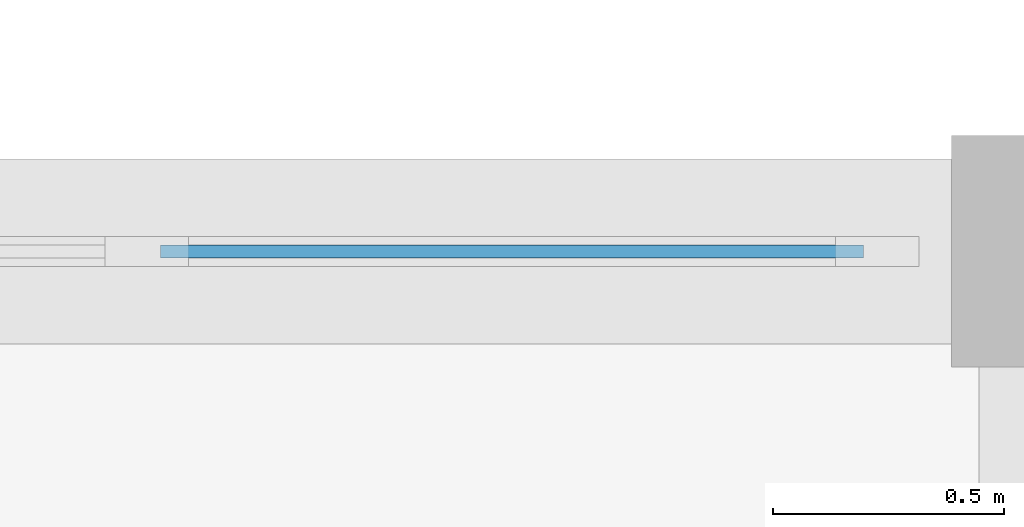
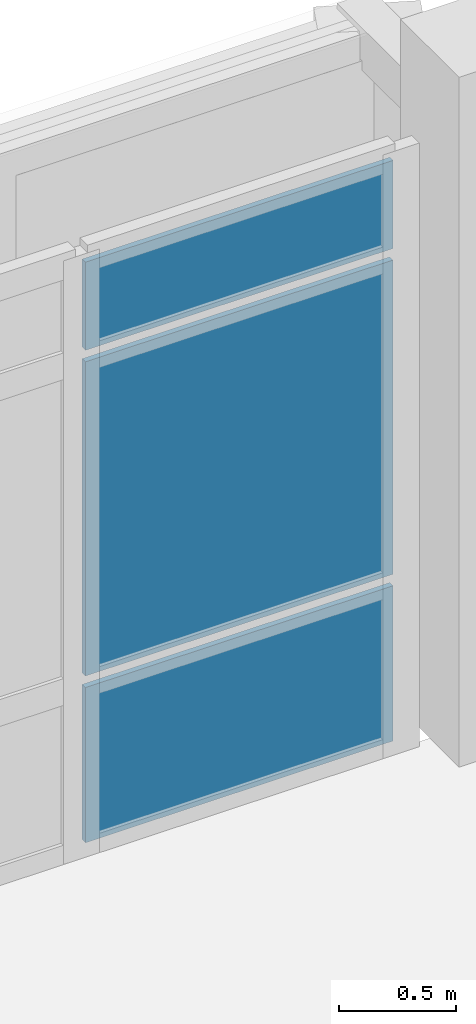
# One storey, part 41 of 50: 3 plates, 1 element without a shape of its own.
"""IFC4 building model written with IfcOpenShell, lengths in metres."""

from ifc_helpers import new_model, si_unit, direction, frame, origin, origin_2d, place, context, subcontext, project, spatial, rectangle, extrude, material, layer, layer_set, type_object, element, aggregate, save


model = new_model("IFC4")

# Units and contexts
model_context = context("Model", 3, precision=1e-05, world=origin(), true_north=direction((0.0, 1.0)))
body_context = subcontext(model_context, "Body", "Model", "MODEL_VIEW")
ifc_project = project(units=[si_unit("LENGTHUNIT", "METRE"), si_unit("AREAUNIT", "SQUARE_METRE"), si_unit("VOLUMEUNIT", "CUBIC_METRE"), si_unit("PLANEANGLEUNIT", "RADIAN"), si_unit("MASSUNIT", "GRAM", prefix="KILO")], contexts=[model_context])

# Site, building, storey
site_placement = place(None, origin())
site = spatial("IfcSite", under=ifc_project, at=site_placement, CompositionType="ELEMENT")
building_placement = place(site_placement, origin())
building = spatial("IfcBuilding", under=site, at=building_placement, Name="Cinderway Yard Community Centre", CompositionType="ELEMENT")
storey_placement = place(building_placement, frame((0.0, 0.0, 12.89990234375)))
storey = spatial("IfcBuildingStorey", under=building, at=storey_placement, Name="L03", CompositionType="ELEMENT", Elevation=12.89990234375)

# Curtain wall, plates
ifc_material_1 = material(Name="Aluminium 6063-T6", Category="aluminium")
curtain_wall_type = type_object("IfcCurtainWallType", Name="ENV-CW-TYPE-33", PredefinedType="USERDEFINED", material=ifc_material_1)
curtain_wall_placement = place(storey_placement, origin())
curtain_wall = element("IfcCurtainWall", 1, at=curtain_wall_placement, inside=storey, type_object=curtain_wall_type, Name="V4 Street Curtain Wall ENV-CW-L03-HS-0171", ObjectType="GLAZED CURTAIN WALL", PredefinedType="USERDEFINED")
ifc_material_2 = material(Name="Laminated Low-E Glass", Category="glass")
ifc_layer = layer(ifc_material_2, 0.031982421875, Name="Laminated Low-E Glass")
ifc_layer_set = layer_set([ifc_layer], Name="Laminated Low-E Glass")
plate_type = type_object("IfcPlateType", Name="ENV-CW-PAN-IGU32", PredefinedType="CURTAIN_PANEL", material=ifc_layer_set)
plate_1_placement = place(storey_placement, frame((126.801025390625, 115.199951171875, 0.06005859375), z_axis=(0.0, 0.0, 1.0), x_axis=(1.0, 0.0, 0.0)))
plate_1 = element("IfcPlate", 2, at=plate_1_placement, type_object=plate_type, Name="CW-33 panel 5.1", PredefinedType="CURTAIN_PANEL", context=body_context, shape_type="SweptSolid", body=[
    extrude(rectangle(XDim=1.51806640625, YDim=0.028076171875, at=origin_2d()), origin(), (0.0, 0.0, 1.0), 0.81005859375),
])
plate_2_placement = place(storey_placement, frame((126.801025390625, 115.199951171875, 0.93017578125), z_axis=(0.0, 0.0, 1.0), x_axis=(1.0, 0.0, 0.0)))
plate_2 = element("IfcPlate", 3, at=plate_2_placement, type_object=plate_type, Name="CW-33 panel 5.2", PredefinedType="CURTAIN_PANEL", context=body_context, shape_type="SweptSolid", body=[
    extrude(rectangle(XDim=1.51806640625, YDim=0.028076171875, at=origin_2d()), origin(), (0.0, 0.0, 1.0), 1.639892578125),
])
plate_3_placement = place(storey_placement, frame((126.801025390625, 115.199951171875, 2.630126953125), z_axis=(0.0, 0.0, 1.0), x_axis=(1.0, 0.0, 0.0)))
plate_3 = element("IfcPlate", 4, at=plate_3_placement, type_object=plate_type, Name="CW-33 panel 5.3", PredefinedType="CURTAIN_PANEL", context=body_context, shape_type="SweptSolid", body=[
    extrude(rectangle(XDim=1.51806640625, YDim=0.028076171875, at=origin_2d()), origin(), (0.0, 0.0, 1.0), 0.4599609375),
])
aggregate(curtain_wall, [plate_1, plate_2, plate_3])

save(model, "model.ifc")
